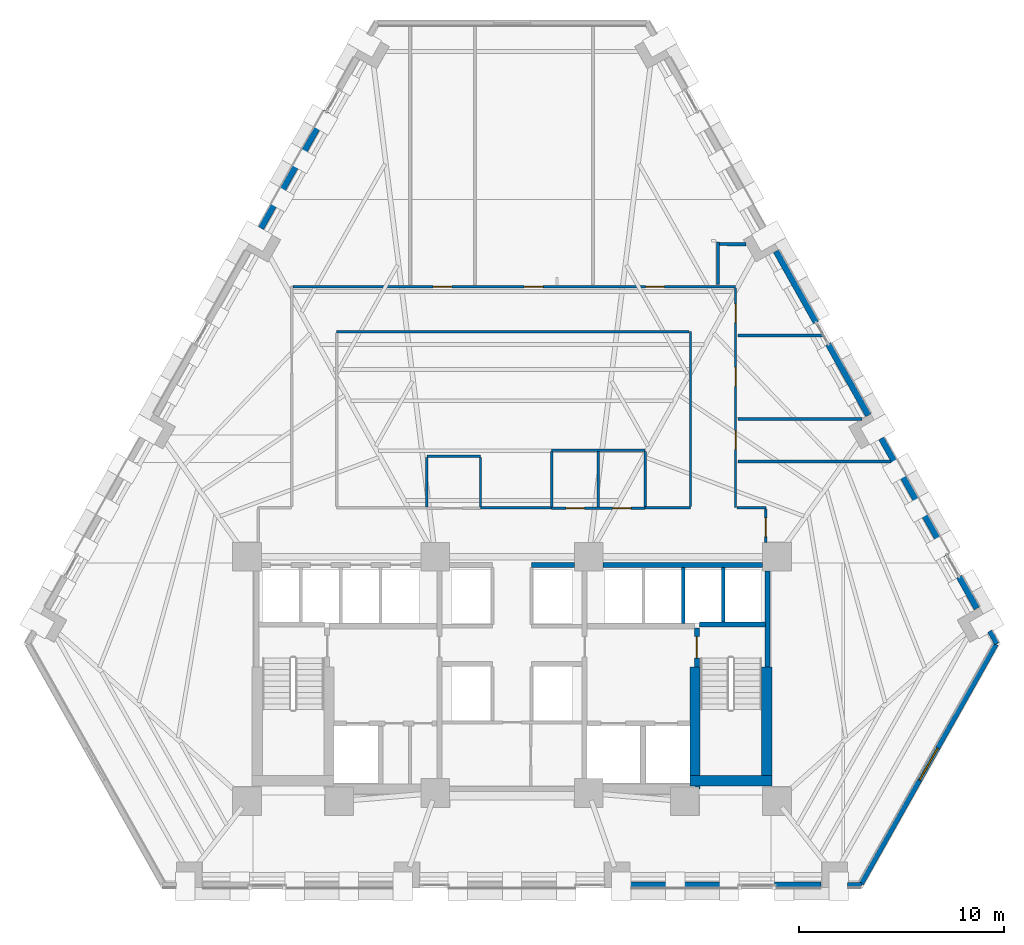
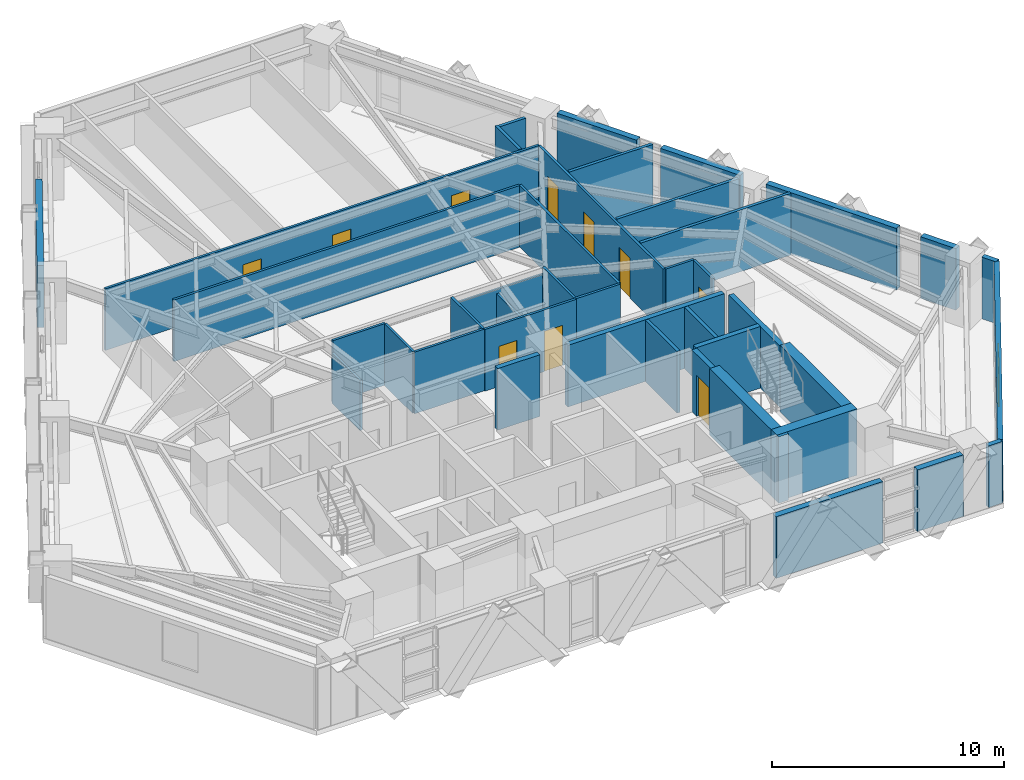
# One storey, part 8 of 13: 41 walls, 10 doors, 1 window, 11 openings.
"""IFC4 building model written with IfcOpenShell, lengths in metres."""

from ifc_helpers import new_model, si_unit, direction, frame, frame_2d, origin, place, context, subcontext, project, spatial, rectangle, extrude, material, layer, layer_set, type_object, element, fill, save


model = new_model("IFC4")

# Units and contexts
model_context = context("Model", 3, precision=1e-05, world=origin(), true_north=direction((0.0, 1.0)))
body_context = subcontext(model_context, "Body", "Model", "MODEL_VIEW")
ifc_project = project(units=[si_unit("LENGTHUNIT", "METRE"), si_unit("AREAUNIT", "SQUARE_METRE"), si_unit("VOLUMEUNIT", "CUBIC_METRE"), si_unit("PLANEANGLEUNIT", "RADIAN"), si_unit("MASSUNIT", "GRAM", prefix="KILO")], contexts=[model_context])

# Site, building, storey
site_placement = place(None, origin())
site = spatial("IfcSite", under=ifc_project, at=site_placement, CompositionType="ELEMENT")
building_placement = place(site_placement, origin())
building = spatial("IfcBuilding", under=site, at=building_placement, Name="Quenlor Broadcast Tower", CompositionType="ELEMENT")
storey_placement = place(building_placement, frame((0.0, 0.0, 34.60009765625)))
storey = spatial("IfcBuildingStorey", under=building, at=storey_placement, Name="L08", CompositionType="ELEMENT", Elevation=34.60009765625)

# Walls
ifc_material_1 = material(Name="Acoustic Double Stud Gypsum Partition", Category="other")
ifc_layer_1 = layer(ifc_material_1, 0.14990234375)
ifc_layer_set_1 = layer_set([ifc_layer_1], Name="Broadcast Studio Acoustic Partition 150")
wall_type_1 = type_object("IfcWallType", Name="Broadcast Studio Acoustic Partition 150", PredefinedType="PARTITIONING", material=ifc_layer_set_1)
wall_1_placement = place(storey_placement, frame((10.06005859375, 10.573486328125, 0.0), z_axis=(0.0, 0.0, 1.0), x_axis=(0.0, -1.0, 0.0)))
element("IfcWall", 1, at=wall_1_placement, inside=storey, type_object=wall_type_1, Name="L08 Interior Wall PW-DV-04", PredefinedType="PARTITIONING", context=body_context, shape_type="SweptSolid", body=[
    extrude(rectangle(XDim=2.0634765625, YDim=0.14990234375, at=frame_2d((1.03173828125, 0.0))), origin(), (0.0, 0.0, 1.0), 3.25),
])
wall_2_placement = place(storey_placement, frame((11.43212890625, 10.471435546875, 0.0), z_axis=(0.0, 0.0, 1.0), x_axis=(-0.999998862953, 0.001508009595, 0.0)))
element("IfcWall", 2, at=wall_2_placement, inside=storey, type_object=wall_type_1, Name="L08 Interior Wall PW-DV-05", PredefinedType="PARTITIONING", context=body_context, shape_type="SweptSolid", body=[
    extrude(rectangle(XDim=1.295166015625, YDim=0.14990234375, at=frame_2d((0.6474609375, 0.0))), origin(), (0.0, 0.0, 1.0), 3.25),
])
wall_3_placement = place(storey_placement, frame((15.206298828125, 6.02001953125, 0.0), z_axis=(0.0, 0.0, 1.0), x_axis=(-1.0, 0.0, 0.0)))
element("IfcWall", 3, at=wall_3_placement, inside=storey, type_object=wall_type_1, Name="L08 Interior Wall PW-DV-06", PredefinedType="PARTITIONING", context=body_context, shape_type="SweptSolid", body=[
    extrude(rectangle(XDim=4.17138671875, YDim=0.14990234375, at=frame_2d((2.085693359375, 0.0))), origin(), (0.0, 0.0, 1.0), 3.25),
])
wall_4_placement = place(storey_placement, frame((17.1064453125, 1.919921875, 0.0), z_axis=(0.0, 0.0, 1.0), x_axis=(-1.0, 0.0, 0.0)))
element("IfcWall", 4, at=wall_4_placement, inside=storey, type_object=wall_type_1, Name="L08 Interior Wall PW-DV-07", PredefinedType="PARTITIONING", context=body_context, shape_type="SweptSolid", body=[
    extrude(rectangle(XDim=6.071533203125, YDim=0.14990234375, at=frame_2d((3.03564453125, 0.0))), origin(), (0.0, 0.0, 1.0), 3.25),
])
wall_5_placement = place(storey_placement, frame((18.51416015625, -0.150390625, 0.0), z_axis=(0.0, 0.0, 1.0), x_axis=(-1.0, 0.0, 0.0)))
element("IfcWall", 5, at=wall_5_placement, inside=storey, type_object=wall_type_1, Name="L08 Interior Wall PW-DV-08", PredefinedType="PARTITIONING", context=body_context, shape_type="SweptSolid", body=[
    extrude(rectangle(XDim=7.479248046875, YDim=0.14990234375, at=frame_2d((3.73974609375, 0.0))), origin(), (0.0, 0.0, 1.0), 3.25),
])
ifc_material_2 = material(Name="Concrete C65/80", Category="concrete")
ifc_layer_2 = layer(ifc_material_2, 0.5)
ifc_layer_set_2 = layer_set([ifc_layer_2], Name="Core Concrete C65/80 Shear Wall 500")
wall_type_2 = type_object("IfcWallType", Name="Core Concrete C65/80 Shear Wall 500", PredefinedType="SHEAR", material=ifc_layer_set_2)
wall_6_placement = place(storey_placement, frame((8.699951171875, -15.75, 0.0), z_axis=(0.0, 0.0, 1.0), x_axis=(1.0, 0.0, 0.0)))
element("IfcWall", 6, at=wall_6_placement, inside=storey, type_object=wall_type_2, Name="L08 Core Shear Wall WS-E2", PredefinedType="SHEAR", context=body_context, shape_type="SweptSolid", body=[
    extrude(rectangle(XDim=4.0, YDim=0.5, at=frame_2d((2.0, 0.0))), origin(), (0.0, 0.0, 1.0), 3.5),
])
wall_7_placement = place(storey_placement, frame((12.449951171875, -15.75, 0.0), z_axis=(0.0, 0.0, 1.0), x_axis=(0.0, 1.0, 0.0)))
element("IfcWall", 7, at=wall_7_placement, inside=storey, type_object=wall_type_2, Name="L08 Core Shear Wall WF-E", PredefinedType="SHEAR", context=body_context, shape_type="SweptSolid", body=[
    extrude(rectangle(XDim=5.550048828125, YDim=0.5, at=frame_2d((2.77490234375, 0.0))), origin(), (0.0, 0.0, 1.0), 3.5),
])
wall_8_placement = place(storey_placement, frame((8.949951171875, -16.14990234375, 0.0), z_axis=(0.0, 0.0, 1.0), x_axis=(0.0, 1.0, 0.0)))
element("IfcWall", 8, at=wall_8_placement, inside=storey, type_object=wall_type_2, Name="L08 Core Shear Wall WI-E", PredefinedType="SHEAR", context=body_context, shape_type="SweptSolid", body=[
    extrude(rectangle(XDim=5.949951171875, YDim=0.5, at=frame_2d((2.97509765625, 0.0))), origin(), (0.0, 0.0, 1.0), 3.5),
])

# Wall, opening, door
ifc_material_3 = material(Name="Concrete C40/50", Category="concrete")
ifc_layer_3 = layer(ifc_material_3, 0.25)
ifc_layer_set_3 = layer_set([ifc_layer_3], Name="Fire Rated Concrete C40/50 Core Wall 250")
wall_type_3 = type_object("IfcWallType", Name="Fire Rated Concrete C40/50 Core Wall 250", PredefinedType="PARTITIONING", material=ifc_layer_set_3)
wall_9_placement = place(storey_placement, frame((9.0400390625, -10.179931640625, 0.0), z_axis=(0.0, 0.0, 1.0), x_axis=(0.0, 1.0, 0.0)))
wall_9 = element("IfcWall", 9, at=wall_9_placement, inside=storey, type_object=wall_type_3, Name="L08 Interior Wall CW-ST2-DR", PredefinedType="PARTITIONING", context=body_context, shape_type="SweptSolid", body=[
    extrude(rectangle(XDim=1.89990234375, YDim=0.25, at=frame_2d((0.949951171875, 0.0))), origin(), (0.0, 0.0, 1.0), 3.25),
])
opening_1_placement = place(wall_9_placement, frame((0.419921875, 0.0, 0.0)))
opening_1 = element("IfcOpeningElement", 10, at=opening_1_placement, cuts=wall_9, Name="Opening FD-1", PredefinedType="OPENING", context=body_context, shape_type="SweptSolid", body=[
    extrude(rectangle(XDim=1.050048828125, YDim=2.14990234375, at=frame_2d((0.52490234375, 1.074951171875))), frame((0.0, 0.135009765625, 0.0), z_axis=(0.0, -1.0, 0.0), x_axis=(1.0, 0.0, 0.0)), (0.0, 0.0, 1.0), 0.27001953125),
])
ifc_material_4 = material(Name="Fire Rated Steel Door Leaf", Category="steel")
door_type_1 = type_object("IfcDoorType", Name="Fire Isolated Stair Door 1050x2150", OperationType="NOTDEFINED", PredefinedType="DOOR", material=ifc_material_4)
door_1_placement = place(opening_1_placement, origin())
door_1 = element("IfcDoor", 11, at=door_1_placement, inside=storey, type_object=door_type_1, Name="L08 Door DR-ST2", OperationType="SINGLE_SWING_RIGHT", OverallHeight=2.14990234375, OverallWidth=1.050048828125, PredefinedType="DOOR", context=body_context, shape_type="SweptSolid", body=[
    extrude(rectangle(XDim=1.050048828125, YDim=2.14990234375, at=frame_2d((0.52490234375, 1.074951171875))), frame((0.0, 0.02490234375, 0.0), z_axis=(0.0, -1.0, 0.0), x_axis=(1.0, 0.0, 0.0)), (0.0, 0.0, 1.0), 0.050048828125),
])
fill(opening_1, door_1)

# Walls
wall_10_placement = place(storey_placement, frame((9.159912109375, -8.1201171875, 0.0), z_axis=(0.0, 0.0, 1.0), x_axis=(1.0, 0.0, 0.0)))
element("IfcWall", 12, at=wall_10_placement, inside=storey, type_object=wall_type_3, Name="L08 Interior Wall CW-ST2-N", PredefinedType="PARTITIONING", context=body_context, shape_type="SweptSolid", body=[
    extrude(rectangle(XDim=3.219970703125, YDim=0.25, at=frame_2d((1.60986328125, 0.0))), origin(), (0.0, 0.0, 1.0), 3.25),
])
wall_11_placement = place(storey_placement, frame((12.47998046875, -10.179931640625, 0.0), z_axis=(0.0, 0.0, 1.0), x_axis=(0.0, 1.0, 0.0)))
element("IfcWall", 13, at=wall_11_placement, inside=storey, type_object=wall_type_3, Name="L08 Interior Wall CW-ST2-E2", PredefinedType="PARTITIONING", context=body_context, shape_type="SweptSolid", body=[
    extrude(rectangle(XDim=4.677978515625, YDim=0.25, at=frame_2d((2.3388671875, 0.0))), origin(), (0.0, 0.0, 1.0), 3.25),
])
wall_12_placement = place(storey_placement, frame((4.451904296875, -5.199951171875, 0.0), z_axis=(0.0, 0.0, 1.0), x_axis=(1.0, 0.0, 0.0)))
element("IfcWall", 14, at=wall_12_placement, inside=storey, type_object=wall_type_3, Name="L08 Interior Wall CW-N-E", PredefinedType="PARTITIONING", context=body_context, shape_type="SweptSolid", body=[
    extrude(rectangle(XDim=7.796142578125, YDim=0.25, at=frame_2d((3.89794921875, 0.0))), origin(), (0.0, 0.0, 1.0), 3.25),
])
wall_13_placement = place(storey_placement, frame((0.949951171875, -5.199951171875, 0.0), z_axis=(0.0, 0.0, 1.0), x_axis=(1.0, 0.0, 0.0)))
element("IfcWall", 15, at=wall_13_placement, inside=storey, type_object=wall_type_3, Name="L08 Interior Wall CW-N-M2", PredefinedType="PARTITIONING", context=body_context, shape_type="SweptSolid", body=[
    extrude(rectangle(XDim=2.09814453125, YDim=0.25, at=frame_2d((1.049072265625, 0.0))), origin(), (0.0, 0.0, 1.0), 3.25),
])
ifc_material_5 = material(Name="Gypsum Fireboard Partition", Category="other")
ifc_layer_4 = layer(ifc_material_5, 0.159912109375)
ifc_layer_set_4 = layer_set([ifc_layer_4], Name="Fire Rated Shaft and Corridor Partition 160")
wall_type_4 = type_object("IfcWallType", Name="Fire Rated Shaft and Corridor Partition 160", PredefinedType="PARTITIONING", material=ifc_layer_set_4)
wall_14_placement = place(storey_placement, frame((8.375, -8.072998046875, 0.0), z_axis=(0.0, 0.0, 1.0), x_axis=(0.0, 1.0, 0.0)))
element("IfcWall", 16, at=wall_14_placement, inside=storey, type_object=wall_type_4, Name="L08 Interior Wall CW-PLH-D2", PredefinedType="PARTITIONING", context=body_context, shape_type="SweptSolid", body=[
    extrude(rectangle(XDim=2.73291015625, YDim=0.159912109375, at=frame_2d((1.366455078125, 0.0))), origin(), (0.0, 0.0, 1.0), 3.25),
])
wall_15_placement = place(storey_placement, frame((10.324951171875, -7.992919921875, 0.0), z_axis=(0.0, 0.0, 1.0), x_axis=(0.0, 1.0, 0.0)))
element("IfcWall", 17, at=wall_15_placement, inside=storey, type_object=wall_type_4, Name="L08 Interior Wall CW-PLH-D3", PredefinedType="PARTITIONING", context=body_context, shape_type="SweptSolid", body=[
    extrude(rectangle(XDim=2.65283203125, YDim=0.159912109375, at=frame_2d((1.326416015625, 0.0))), origin(), (0.0, 0.0, 1.0), 3.25),
])
ifc_material_6 = material(Name="Gypsum Plasterboard Partition", Category="other")
ifc_layer_5 = layer(ifc_material_6, 0.1201171875)
ifc_layer_set_5 = layer_set([ifc_layer_5], Name="Standard Office Partition 120")
wall_type_5 = type_object("IfcWallType", Name="Standard Office Partition 120", PredefinedType="PARTITIONING", material=ifc_layer_set_5)
wall_16_placement = place(storey_placement, frame((-4.159912109375, 0.110107421875, 0.0), z_axis=(0.0, 0.0, 1.0), x_axis=(1.0, 0.0, 0.0)))
element("IfcWall", 18, at=wall_16_placement, inside=storey, type_object=wall_type_5, Name="L08 Interior Wall PW-AWC-N", PredefinedType="PARTITIONING", context=body_context, shape_type="SweptSolid", body=[
    extrude(rectangle(XDim=2.619873046875, YDim=0.1201171875, at=frame_2d((1.31005859375, 0.0))), origin(), (0.0, 0.0, 1.0), 3.25),
])
wall_17_placement = place(storey_placement, frame((-4.159912109375, -2.3779296875, 0.0), z_axis=(0.0, 0.0, 1.0), x_axis=(0.0, 1.0, 0.0)))
element("IfcWall", 19, at=wall_17_placement, inside=storey, type_object=wall_type_5, Name="L08 Interior Wall PW-AWC-W", PredefinedType="PARTITIONING", context=body_context, shape_type="SweptSolid", body=[
    extrude(rectangle(XDim=2.426025390625, YDim=0.1201171875, at=frame_2d((1.212890625, 0.0))), origin(), (0.0, 0.0, 1.0), 2.63818359375),
])
wall_18_placement = place(storey_placement, frame((-1.5400390625, -2.3779296875, 0.0), z_axis=(0.0, 0.0, 1.0), x_axis=(0.0, 1.0, 0.0)))
element("IfcWall", 20, at=wall_18_placement, inside=storey, type_object=wall_type_5, Name="L08 Interior Wall PW-AWC-E", PredefinedType="PARTITIONING", context=body_context, shape_type="SweptSolid", body=[
    extrude(rectangle(XDim=2.426025390625, YDim=0.1201171875, at=frame_2d((1.212890625, 0.0))), origin(), (0.0, 0.0, 1.0), 3.25),
])

# Wall, openings, doors
wall_19_placement = place(storey_placement, frame((1.93994140625, -2.43994140625, 0.0), z_axis=(0.0, 0.0, 1.0), x_axis=(1.0, 0.0, 0.0)))
wall_19 = element("IfcWall", 21, at=wall_19_placement, inside=storey, type_object=wall_type_5, Name="L08 Interior Wall PW-WC-S", PredefinedType="PARTITIONING", context=body_context, shape_type="SweptSolid", body=[
    extrude(rectangle(XDim=4.570068359375, YDim=0.1201171875, at=frame_2d((2.28515625, 0.0))), origin(), (0.0, 0.0, 1.0), 3.25),
])
opening_2_placement = place(wall_19_placement, frame((0.699951171875, 0.0, 0.0)))
opening_2 = element("IfcOpeningElement", 22, at=opening_2_placement, cuts=wall_19, Name="Opening ID-3", PredefinedType="OPENING", context=body_context, shape_type="SweptSolid", body=[
    extrude(rectangle(XDim=0.89990234375, YDim=2.1201171875, at=frame_2d((0.449951171875, 1.06005859375))), frame((0.0, 0.070068359375, 0.0), z_axis=(0.0, -1.0, 0.0), x_axis=(1.0, 0.0, 0.0)), (0.0, 0.0, 1.0), 0.14013671875),
])
opening_3_placement = place(wall_19_placement, frame((2.97998046875, 0.0, 0.0)))
opening_3 = element("IfcOpeningElement", 23, at=opening_3_placement, cuts=wall_19, Name="Opening ID-3", PredefinedType="OPENING", context=body_context, shape_type="SweptSolid", body=[
    extrude(rectangle(XDim=0.89990234375, YDim=2.1201171875, at=frame_2d((0.449951171875, 1.06005859375))), frame((0.0, 0.070068359375, 0.0), z_axis=(0.0, -1.0, 0.0), x_axis=(1.0, 0.0, 0.0)), (0.0, 0.0, 1.0), 0.14013671875),
])
ifc_material_7 = material(Name="Moisture Resistant Timber Oak", Category="wood")
door_type_2 = type_object("IfcDoorType", Name="Washroom Privacy Door 900x2120", OperationType="NOTDEFINED", PredefinedType="DOOR", material=ifc_material_7)
door_2_placement = place(opening_2_placement, origin())
door_2 = element("IfcDoor", 24, at=door_2_placement, inside=storey, type_object=door_type_2, Name="L08 Door DR-MWC", OperationType="SINGLE_SWING_LEFT", OverallHeight=2.1201171875, OverallWidth=0.89990234375, PredefinedType="DOOR", context=body_context, shape_type="SweptSolid", body=[
    extrude(rectangle(XDim=0.89990234375, YDim=2.1201171875, at=frame_2d((0.449951171875, 1.06005859375))), frame((0.0, 0.02490234375, 0.0), z_axis=(0.0, -1.0, 0.0), x_axis=(1.0, 0.0, 0.0)), (0.0, 0.0, 1.0), 0.050048828125),
])
fill(opening_2, door_2)
door_3_placement = place(opening_3_placement, origin())
door_3 = element("IfcDoor", 25, at=door_3_placement, inside=storey, type_object=door_type_2, Name="L08 Door DR-FWC", OperationType="SINGLE_SWING_RIGHT", OverallHeight=2.1201171875, OverallWidth=0.89990234375, PredefinedType="DOOR", context=body_context, shape_type="SweptSolid", body=[
    extrude(rectangle(XDim=0.89990234375, YDim=2.1201171875, at=frame_2d((0.449951171875, 1.06005859375))), frame((0.0, 0.02490234375, 0.0), z_axis=(0.0, -1.0, 0.0), x_axis=(1.0, 0.0, 0.0)), (0.0, 0.0, 1.0), 0.050048828125),
])
fill(opening_3, door_3)

# Walls
wall_20_placement = place(storey_placement, frame((1.93994140625, 0.409912109375, 0.0), z_axis=(0.0, 0.0, 1.0), x_axis=(1.0, 0.0, 0.0)))
element("IfcWall", 26, at=wall_20_placement, inside=storey, type_object=wall_type_5, Name="L08 Interior Wall PW-WC-N", PredefinedType="PARTITIONING", context=body_context, shape_type="SweptSolid", body=[
    extrude(rectangle(XDim=4.570068359375, YDim=0.1201171875, at=frame_2d((2.28515625, 0.0))), origin(), (0.0, 0.0, 1.0), 2.843505859375),
])
wall_21_placement = place(storey_placement, frame((1.93994140625, -2.3779296875, 0.0), z_axis=(0.0, 0.0, 1.0), x_axis=(0.0, 1.0, 0.0)))
element("IfcWall", 27, at=wall_21_placement, inside=storey, type_object=wall_type_5, Name="L08 Interior Wall PW-WC-W", PredefinedType="PARTITIONING", context=body_context, shape_type="SweptSolid", body=[
    extrude(rectangle(XDim=2.725830078125, YDim=0.1201171875, at=frame_2d((1.36279296875, 0.0))), origin(), (0.0, 0.0, 1.0), 3.25),
])
wall_22_placement = place(storey_placement, frame((4.219970703125, -2.3779296875, 0.0), z_axis=(0.0, 0.0, 1.0), x_axis=(0.0, 1.0, 0.0)))
element("IfcWall", 28, at=wall_22_placement, inside=storey, type_object=wall_type_5, Name="L08 Interior Wall PW-WC-M", PredefinedType="PARTITIONING", context=body_context, shape_type="SweptSolid", body=[
    extrude(rectangle(XDim=2.725830078125, YDim=0.1201171875, at=frame_2d((1.36279296875, 0.0))), origin(), (0.0, 0.0, 1.0), 2.63818359375),
])
wall_23_placement = place(storey_placement, frame((6.510009765625, -2.3779296875, 0.0), z_axis=(0.0, 0.0, 1.0), x_axis=(0.0, 1.0, 0.0)))
element("IfcWall", 29, at=wall_23_placement, inside=storey, type_object=wall_type_5, Name="L08 Interior Wall PW-WC-E", PredefinedType="PARTITIONING", context=body_context, shape_type="SweptSolid", body=[
    extrude(rectangle(XDim=2.725830078125, YDim=0.1201171875, at=frame_2d((1.36279296875, 0.0))), origin(), (0.0, 0.0, 1.0), 3.25),
])

# Wall, openings, doors
wall_24_placement = place(storey_placement, frame((-10.712890625, 8.39990234375, 0.0), z_axis=(0.0, 0.0, 1.0), x_axis=(1.0, 0.0, 0.0)))
wall_24 = element("IfcWall", 30, at=wall_24_placement, inside=storey, type_object=wall_type_5, Name="L08 Interior Wall PW-CR-03", PredefinedType="PARTITIONING", context=body_context, shape_type="SweptSolid", body=[
    extrude(rectangle(XDim=21.637939453125, YDim=0.1201171875, at=frame_2d((10.81884765625, 0.0))), origin(), (0.0, 0.0, 1.0), 3.25),
])
opening_4_placement = place(wall_24_placement, frame((6.860107421875, 0.0, 0.0)))
opening_4 = element("IfcOpeningElement", 31, at=opening_4_placement, cuts=wall_24, Name="Opening ID-1", PredefinedType="OPENING", context=body_context, shape_type="SweptSolid", body=[
    extrude(rectangle(XDim=0.919921875, YDim=2.1201171875, at=frame_2d((0.4599609375, 1.06005859375))), frame((0.0, 0.070068359375, 0.0), z_axis=(0.0, -1.0, 0.0), x_axis=(1.0, 0.0, 0.0)), (0.0, 0.0, 1.0), 0.14013671875),
])
opening_5_placement = place(wall_24_placement, frame((11.31005859375, 0.0, 0.0)))
opening_5 = element("IfcOpeningElement", 32, at=opening_5_placement, cuts=wall_24, Name="Opening ID-1", PredefinedType="OPENING", context=body_context, shape_type="SweptSolid", body=[
    extrude(rectangle(XDim=0.919921875, YDim=2.1201171875, at=frame_2d((0.4599609375, 1.06005859375))), frame((0.0, 0.070068359375, 0.0), z_axis=(0.0, -1.0, 0.0), x_axis=(1.0, 0.0, 0.0)), (0.0, 0.0, 1.0), 0.14013671875),
])
opening_6_placement = place(wall_24_placement, frame((17.242919921875, 0.0, 0.0)))
opening_6 = element("IfcOpeningElement", 33, at=opening_6_placement, cuts=wall_24, Name="Opening ID-1", PredefinedType="OPENING", context=body_context, shape_type="SweptSolid", body=[
    extrude(rectangle(XDim=0.919921875, YDim=2.1201171875, at=frame_2d((0.4599609375, 1.06005859375))), frame((0.0, 0.070068359375, 0.0), z_axis=(0.0, -1.0, 0.0), x_axis=(1.0, 0.0, 0.0)), (0.0, 0.0, 1.0), 0.14013671875),
])
ifc_material_8 = material(Name="Solid Core Timber Oak", Category="wood")
door_type_3 = type_object("IfcDoorType", Name="Single Leaf Timber Office Door 920x2120", OperationType="NOTDEFINED", PredefinedType="DOOR", material=ifc_material_8)
door_4_placement = place(opening_4_placement, origin())
door_4 = element("IfcDoor", 34, at=door_4_placement, inside=storey, type_object=door_type_3, Name="L08 Door DR-RM01", OperationType="SINGLE_SWING_LEFT", OverallHeight=2.1201171875, OverallWidth=0.919921875, PredefinedType="DOOR", context=body_context, shape_type="SweptSolid", body=[
    extrude(rectangle(XDim=0.919921875, YDim=2.1201171875, at=frame_2d((0.4599609375, 1.06005859375))), frame((0.0, 0.02490234375, 0.0), z_axis=(0.0, -1.0, 0.0), x_axis=(1.0, 0.0, 0.0)), (0.0, 0.0, 1.0), 0.050048828125),
])
fill(opening_4, door_4)
door_5_placement = place(opening_5_placement, origin())
door_5 = element("IfcDoor", 35, at=door_5_placement, inside=storey, type_object=door_type_3, Name="L08 Door DR-RM02", OperationType="SINGLE_SWING_RIGHT", OverallHeight=2.1201171875, OverallWidth=0.919921875, PredefinedType="DOOR", context=body_context, shape_type="SweptSolid", body=[
    extrude(rectangle(XDim=0.919921875, YDim=2.1201171875, at=frame_2d((0.4599609375, 1.06005859375))), frame((0.0, 0.02490234375, 0.0), z_axis=(0.0, -1.0, 0.0), x_axis=(1.0, 0.0, 0.0)), (0.0, 0.0, 1.0), 0.050048828125),
])
fill(opening_5, door_5)
door_6_placement = place(opening_6_placement, origin())
door_6 = element("IfcDoor", 36, at=door_6_placement, inside=storey, type_object=door_type_3, Name="L08 Door DR-RM03", OperationType="SINGLE_SWING_LEFT", OverallHeight=2.1201171875, OverallWidth=0.919921875, PredefinedType="DOOR", context=body_context, shape_type="SweptSolid", body=[
    extrude(rectangle(XDim=0.919921875, YDim=2.1201171875, at=frame_2d((0.4599609375, 1.06005859375))), frame((0.0, 0.02490234375, 0.0), z_axis=(0.0, -1.0, 0.0), x_axis=(1.0, 0.0, 0.0)), (0.0, 0.0, 1.0), 0.050048828125),
])
fill(opening_6, door_6)

wall_25_placement = place(storey_placement, frame((10.925048828125, 8.337890625, 0.0), z_axis=(0.0, 0.0, 1.0), x_axis=(0.0, -1.0, 0.0)))
wall_25 = element("IfcWall", 37, at=wall_25_placement, inside=storey, type_object=wall_type_5, Name="L08 Interior Wall PW-CR-04", PredefinedType="PARTITIONING", context=body_context, shape_type="SweptSolid", body=[
    extrude(rectangle(XDim=10.73779296875, YDim=0.1201171875, at=frame_2d((5.368896484375, 0.0))), origin(), (0.0, 0.0, 1.0), 3.25),
])
opening_7_placement = place(wall_25_placement, frame((0.777099609375, 0.0, 0.0)))
opening_7 = element("IfcOpeningElement", 38, at=opening_7_placement, cuts=wall_25, Name="Opening ID-1", PredefinedType="OPENING", context=body_context, shape_type="SweptSolid", body=[
    extrude(rectangle(XDim=0.919921875, YDim=2.1201171875, at=frame_2d((0.4599609375, 1.06005859375))), frame((0.0, 0.070068359375, 0.0), z_axis=(0.0, -1.0, 0.0), x_axis=(1.0, 0.0, 0.0)), (0.0, 0.0, 1.0), 0.14013671875),
])
opening_8_placement = place(wall_25_placement, frame((3.887939453125, 0.0, 0.0)))
opening_8 = element("IfcOpeningElement", 39, at=opening_8_placement, cuts=wall_25, Name="Opening ID-1", PredefinedType="OPENING", context=body_context, shape_type="SweptSolid", body=[
    extrude(rectangle(XDim=0.919921875, YDim=2.1201171875, at=frame_2d((0.4599609375, 1.06005859375))), frame((0.0, 0.070068359375, 0.0), z_axis=(0.0, -1.0, 0.0), x_axis=(1.0, 0.0, 0.0)), (0.0, 0.0, 1.0), 0.14013671875),
])
opening_9_placement = place(wall_25_placement, frame((6.972900390625, 0.0, 0.0)))
opening_9 = element("IfcOpeningElement", 40, at=opening_9_placement, cuts=wall_25, Name="Opening ID-1", PredefinedType="OPENING", context=body_context, shape_type="SweptSolid", body=[
    extrude(rectangle(XDim=0.919921875, YDim=2.1201171875, at=frame_2d((0.4599609375, 1.06005859375))), frame((0.0, 0.070068359375, 0.0), z_axis=(0.0, -1.0, 0.0), x_axis=(1.0, 0.0, 0.0)), (0.0, 0.0, 1.0), 0.14013671875),
])
door_7_placement = place(opening_7_placement, origin())
door_7 = element("IfcDoor", 41, at=door_7_placement, inside=storey, type_object=door_type_3, Name="L08 Door DR-RM05", OperationType="SINGLE_SWING_LEFT", OverallHeight=2.1201171875, OverallWidth=0.919921875, PredefinedType="DOOR", context=body_context, shape_type="SweptSolid", body=[
    extrude(rectangle(XDim=0.919921875, YDim=2.1201171875, at=frame_2d((0.4599609375, 1.06005859375))), frame((0.0, 0.02490234375, 0.0), z_axis=(0.0, -1.0, 0.0), x_axis=(1.0, 0.0, 0.0)), (0.0, 0.0, 1.0), 0.050048828125),
])
fill(opening_7, door_7)
door_8_placement = place(opening_8_placement, origin())
door_8 = element("IfcDoor", 42, at=door_8_placement, inside=storey, type_object=door_type_3, Name="L08 Door DR-RM06", OperationType="SINGLE_SWING_RIGHT", OverallHeight=2.1201171875, OverallWidth=0.919921875, PredefinedType="DOOR", context=body_context, shape_type="SweptSolid", body=[
    extrude(rectangle(XDim=0.919921875, YDim=2.1201171875, at=frame_2d((0.4599609375, 1.06005859375))), frame((0.0, 0.02490234375, 0.0), z_axis=(0.0, -1.0, 0.0), x_axis=(1.0, 0.0, 0.0)), (0.0, 0.0, 1.0), 0.050048828125),
])
fill(opening_8, door_8)
door_9_placement = place(opening_9_placement, origin())
door_9 = element("IfcDoor", 43, at=door_9_placement, inside=storey, type_object=door_type_3, Name="L08 Door DR-RM07", OperationType="SINGLE_SWING_LEFT", OverallHeight=2.1201171875, OverallWidth=0.919921875, PredefinedType="DOOR", context=body_context, shape_type="SweptSolid", body=[
    extrude(rectangle(XDim=0.919921875, YDim=2.1201171875, at=frame_2d((0.4599609375, 1.06005859375))), frame((0.0, 0.02490234375, 0.0), z_axis=(0.0, -1.0, 0.0), x_axis=(1.0, 0.0, 0.0)), (0.0, 0.0, 1.0), 0.050048828125),
])
fill(opening_9, door_9)

# Wall
wall_26_placement = place(storey_placement, frame((10.987060546875, -2.39990234375, 0.0), z_axis=(0.0, 0.0, 1.0), x_axis=(1.0, 0.0, 0.0)))
element("IfcWall", 44, at=wall_26_placement, inside=storey, type_object=wall_type_5, Name="L08 Interior Wall PW-CR-05", PredefinedType="PARTITIONING", context=body_context, shape_type="SweptSolid", body=[
    extrude(rectangle(XDim=1.4228515625, YDim=0.1201171875, at=frame_2d((0.71142578125, 0.0))), origin(), (0.0, 0.0, 1.0), 3.25),
])

# Wall, opening, door
wall_27_placement = place(storey_placement, frame((12.409912109375, -2.4619140625, 0.0), z_axis=(0.0, 0.0, 1.0), x_axis=(0.0, -1.0, 0.0)))
wall_27 = element("IfcWall", 45, at=wall_27_placement, inside=storey, type_object=wall_type_5, Name="L08 Interior Wall PW-CR-06", PredefinedType="PARTITIONING", context=body_context, shape_type="SweptSolid", body=[
    extrude(rectangle(XDim=1.635986328125, YDim=0.1201171875, at=frame_2d((0.81787109375, 0.0))), origin(), (0.0, 0.0, 1.0), 3.25),
])
opening_10_placement = place(wall_27_placement, frame((0.443115234375, 0.0, 0.0)))
opening_10 = element("IfcOpeningElement", 46, at=opening_10_placement, cuts=wall_27, Name="Opening ID-1", PredefinedType="OPENING", context=body_context, shape_type="SweptSolid", body=[
    extrude(rectangle(XDim=0.919921875, YDim=2.1201171875, at=frame_2d((0.4599609375, 1.06005859375))), frame((0.0, 0.070068359375, 0.0), z_axis=(0.0, -1.0, 0.0), x_axis=(1.0, 0.0, 0.0)), (0.0, 0.0, 1.0), 0.14013671875),
])
door_10_placement = place(opening_10_placement, origin())
door_10 = element("IfcDoor", 47, at=door_10_placement, inside=storey, type_object=door_type_3, Name="L08 Door DR-RM08", OperationType="SINGLE_SWING_RIGHT", OverallHeight=2.1201171875, OverallWidth=0.919921875, PredefinedType="DOOR", context=body_context, shape_type="SweptSolid", body=[
    extrude(rectangle(XDim=0.919921875, YDim=2.1201171875, at=frame_2d((0.4599609375, 1.06005859375))), frame((0.0, 0.02490234375, 0.0), z_axis=(0.0, -1.0, 0.0), x_axis=(1.0, 0.0, 0.0)), (0.0, 0.0, 1.0), 0.050048828125),
])
fill(opening_10, door_10)

# Walls
wall_28_placement = place(storey_placement, frame((-1.5380859375, -2.39990234375, 0.0), z_axis=(0.0, 0.0, 1.0), x_axis=(1.0, 0.0, 0.0)))
element("IfcWall", 48, at=wall_28_placement, inside=storey, type_object=wall_type_5, Name="L08 Interior Wall PW-CR-08S2", PredefinedType="PARTITIONING", context=body_context, shape_type="SweptSolid", body=[
    extrude(rectangle(XDim=3.47607421875, YDim=0.1201171875, at=frame_2d((1.738037109375, 0.0))), origin(), (0.0, 0.0, 1.0), 3.25),
])
wall_29_placement = place(storey_placement, frame((6.511962890625, -2.39990234375, 0.0), z_axis=(0.0, 0.0, 1.0), x_axis=(1.0, 0.0, 0.0)))
element("IfcWall", 49, at=wall_29_placement, inside=storey, type_object=wall_type_5, Name="L08 Interior Wall PW-CR-08S3", PredefinedType="PARTITIONING", context=body_context, shape_type="SweptSolid", body=[
    extrude(rectangle(XDim=2.213134765625, YDim=0.1201171875, at=frame_2d((1.1064453125, 0.0))), origin(), (0.0, 0.0, 1.0), 3.25),
])
wall_30_placement = place(storey_placement, frame((8.72509765625, -2.337890625, 0.0), z_axis=(0.0, 0.0, 1.0), x_axis=(0.0, 1.0, 0.0)))
element("IfcWall", 50, at=wall_30_placement, inside=storey, type_object=wall_type_5, Name="L08 Interior Wall PW-CR-09", PredefinedType="PARTITIONING", context=body_context, shape_type="SweptSolid", body=[
    extrude(rectangle(XDim=8.537841796875, YDim=0.1201171875, at=frame_2d((4.26904296875, 0.0))), origin(), (0.0, 0.0, 1.0), 3.25),
])
wall_31_placement = place(storey_placement, frame((8.6630859375, 6.199951171875, 0.0), z_axis=(0.0, 0.0, 1.0), x_axis=(-1.0, 0.0, 0.0)))
element("IfcWall", 51, at=wall_31_placement, inside=storey, type_object=wall_type_5, Name="L08 Interior Wall PW-CR-10", PredefinedType="PARTITIONING", context=body_context, shape_type="SweptSolid", body=[
    extrude(rectangle(XDim=17.238037109375, YDim=0.1201171875, at=frame_2d((8.619140625, 0.0))), origin(), (0.0, 0.0, 1.0), 3.25),
])
ifc_material_9 = material(Name="Precast concrete C40/50", Category="concrete")
ifc_layer_6 = layer(ifc_material_9, 0.239990234375)
ifc_layer_set_6 = layer_set([ifc_layer_6], Name="Terrace Threshold Precast Concrete C40/50 Wall 240")
wall_type_6 = type_object("IfcWallType", Name="Terrace Threshold Precast Concrete C40/50 Wall 240", PredefinedType="STANDARD", material=ifc_layer_set_6)
wall_32_placement = place(storey_placement, frame((17.075927734375, -20.840087890625, 0.0), z_axis=(0.0, 0.0, 1.0), x_axis=(-1.0, 0.0, 0.0)))
element("IfcWall", 52, at=wall_32_placement, inside=storey, type_object=wall_type_6, Name="L08 Exterior Wall L08-SHD-SS0", PredefinedType="STANDARD", context=body_context, shape_type="SweptSolid", body=[
    extrude(rectangle(XDim=0.680908203125, YDim=0.239990234375, at=frame_2d((0.34033203125, 0.0))), origin(), (0.0, 0.0, 1.0), 3.25),
])
wall_33_placement = place(storey_placement, frame((23.351806640625, -8.44091796875, 0.0), z_axis=(0.0, 0.0, 1.0), x_axis=(0.490523074758, -0.871428203084, 0.0)))
element("IfcWall", 53, at=wall_33_placement, inside=storey, type_object=wall_type_6, Name="L08 Exterior Wall L08-SHD-NES1", PredefinedType="STANDARD", context=body_context, shape_type="SweptSolid", body=[
    extrude(rectangle(XDim=0.708251953125, YDim=0.239990234375, at=frame_2d((0.35400390625, 0.0))), origin(), (0.0, 0.0, 1.0), 3.25),
])

# Wall, opening, window
wall_34_placement = place(storey_placement, frame((17.06689453125, -20.79638671875, 0.0), z_axis=(0.0, 0.0, 1.0), x_axis=(0.490268135177, 0.871571658345, 0.0)))
wall_34 = element("IfcWall", 54, at=wall_34_placement, inside=storey, type_object=wall_type_6, Name="L08 Exterior Wall L08-CNR-06", PredefinedType="STANDARD", context=body_context, shape_type="SweptSolid", body=[
    extrude(rectangle(XDim=13.44775390625, YDim=0.239990234375, at=frame_2d((6.723876953125, 0.0))), origin(), (0.0, 0.0, 1.0), 3.25),
])
opening_11_placement = place(wall_34_placement, frame((5.823974609375, 0.0, 0.89990234375)))
opening_11 = element("IfcOpeningElement", 55, at=opening_11_placement, cuts=wall_34, Name="Opening WN-1", PredefinedType="OPENING", context=body_context, shape_type="SweptSolid", body=[
    extrude(rectangle(XDim=1.800048828125, YDim=2.10009765625, at=frame_2d((0.89990234375, 1.050048828125))), frame((0.0, 0.1298828125, 0.0), z_axis=(0.0, -1.0, 0.0), x_axis=(1.0, 0.0, 0.0)), (0.0, 0.0, 1.0), 0.260009765625),
])
ifc_material_10 = material(Name="Thermally Broken Aluminium and Low-E Glass", Category="aluminium")
window_type = type_object("IfcWindowType", Name="Tower Acoustic Vision Window 1800x2100", PartitioningType="SINGLE_PANEL", PredefinedType="WINDOW", material=ifc_material_10)
window_placement = place(opening_11_placement, origin())
window = element("IfcWindow", 56, at=window_placement, inside=storey, type_object=window_type, Name="L08 Corner Chamfer Window 6", OverallHeight=2.10009765625, OverallWidth=1.800048828125, PartitioningType="SINGLE_PANEL", PredefinedType="WINDOW", context=body_context, shape_type="SweptSolid", body=[
    extrude(rectangle(XDim=1.800048828125, YDim=2.10009765625, at=frame_2d((0.89990234375, 1.050048828125))), frame((0.0, 0.030029296875, 0.0), z_axis=(0.0, -1.0, 0.0), x_axis=(1.0, 0.0, 0.0)), (0.0, 0.0, 1.0), 0.06005859375),
])
fill(opening_11, window)

# Walls
ifc_material_11 = material(Name="Precast concrete C40/50", Category="concrete")
ifc_layer_7 = layer(ifc_material_11, 0.300048828125)
ifc_layer_set_7 = layer_set([ifc_layer_7], Name="Terracotta Precast Concrete C40/50 Spandrel Wall 300")
wall_type_7 = type_object("IfcWallType", Name="Terracotta Precast Concrete C40/50 Spandrel Wall 300", PredefinedType="STANDARD", material=ifc_layer_set_7)
wall_35_placement = place(storey_placement, frame((15.114990234375, -20.840087890625, 0.0), z_axis=(0.0, 0.0, 1.0), x_axis=(-1.0, 0.0, 0.0)))
element("IfcWall", 57, at=wall_35_placement, inside=storey, type_object=wall_type_7, Name="L08 Exterior Wall L08-SA-SP1", PredefinedType="STANDARD", context=body_context, shape_type="SweptSolid", body=[
    extrude(rectangle(XDim=2.280029296875, YDim=0.300048828125, at=frame_2d((1.14013671875, 0.0))), origin(), (0.0, 0.0, 1.0), 3.25),
])
wall_36_placement = place(storey_placement, frame((11.106689453125, -20.840087890625, 0.0), z_axis=(0.0, 0.0, 1.0), x_axis=(-1.0, 0.0, 0.0)))
element("IfcWall", 58, at=wall_36_placement, inside=storey, type_object=wall_type_7, Name="L08 Exterior Wall L08-SA-SP2", PredefinedType="STANDARD", context=body_context, shape_type="SweptSolid", body=[
    extrude(rectangle(XDim=5.31591796875, YDim=0.300048828125, at=frame_2d((2.657958984375, 0.0))), origin(), (0.0, 0.0, 1.0), 3.25),
])
wall_37_placement = place(storey_placement, frame((18.049560546875, 0.985595703125, 0.0), z_axis=(0.0, 0.0, 1.0), x_axis=(0.490254155105, -0.871579522133, 0.0)))
element("IfcWall", 59, at=wall_37_placement, inside=storey, type_object=wall_type_7, Name="L08 Exterior Wall L08-NEC-SP1", PredefinedType="STANDARD", context=body_context, shape_type="SweptSolid", body=[
    extrude(rectangle(XDim=6.544677734375, YDim=0.300048828125, at=frame_2d((3.2724609375, 0.0))), origin(), (0.0, 0.0, 1.0), 3.25),
])
wall_38_placement = place(storey_placement, frame((21.85009765625, -5.77099609375, 0.0), z_axis=(0.0, 0.0, 1.0), x_axis=(0.490274239922, -0.871568224334, 0.0)))
element("IfcWall", 60, at=wall_38_placement, inside=storey, type_object=wall_type_7, Name="L08 Exterior Wall L08-NEC-SP2", PredefinedType="STANDARD", context=body_context, shape_type="SweptSolid", body=[
    extrude(rectangle(XDim=1.783203125, YDim=0.300048828125, at=frame_2d((0.8916015625, 0.0))), origin(), (0.0, 0.0, 1.0), 3.25),
])
for number, where, z_axis, x_axis, name in (
    (61, (12.90625, 10.12890625, 0.0), (0.0, 0.0, 1.0), (0.490275749717, -0.871567375043, 0.0), "L08 Exterior Wall L08-NE-SP1"),
    (62, (15.45654296875, 5.595458984375, 0.0), (0.0, 0.0, 1.0), (0.490275749717, -0.871567375043, 0.0), "L08 Exterior Wall L08-NE-SP2"),
):
    element("IfcWall", number, at=place(storey_placement, frame(where, z_axis=z_axis, x_axis=x_axis)), inside=storey, type_object=wall_type_7, Name=name, PredefinedType="STANDARD", context=body_context, shape_type="SweptSolid", body=[
        extrude(rectangle(XDim=3.994140625, YDim=0.300048828125, at=frame_2d((1.9970703125, 0.0))), origin(), (0.0, 0.0, 1.0), 3.25),
    ])
wall_39_placement = place(storey_placement, frame((-12.271484375, 11.2578125, 0.0), z_axis=(0.0, 0.0, 1.0), x_axis=(0.490270095534, 0.871570555621, 0.0)))
element("IfcWall", 63, at=wall_39_placement, inside=storey, type_object=wall_type_7, Name="L08 Exterior Wall L08-NWC-SP1", PredefinedType="STANDARD", context=body_context, shape_type="SweptSolid", body=[
    extrude(rectangle(XDim=6.54443359375, YDim=0.300048828125, at=frame_2d((3.272216796875, 0.0))), origin(), (0.0, 0.0, 1.0), 3.25),
])

save(model, "model.ifc")
